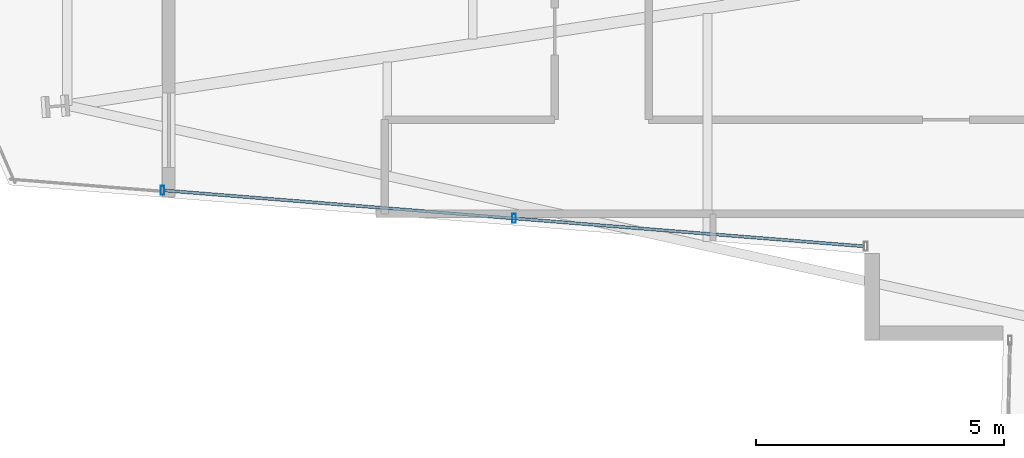
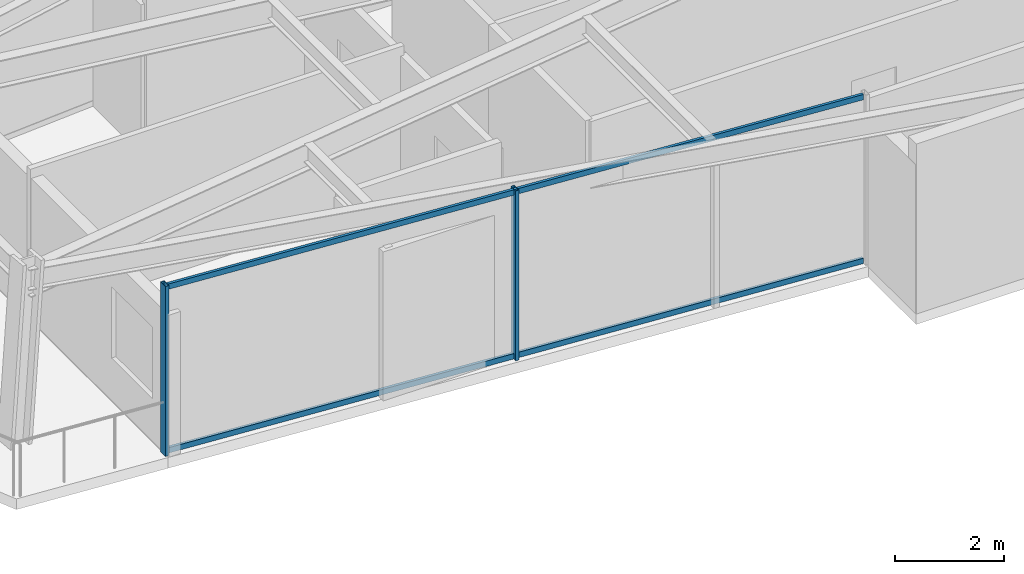
# One storey, part 2 of 26: 4 members, 1 element without a shape of its own.
"""IFC4 building model written with IfcOpenShell, lengths in metres."""

from ifc_helpers import new_model, si_unit, direction, frame, origin, origin_2d, place, context, subcontext, project, spatial, hollow_rectangle, extrude, material, layer, layer_set, material_profile, profile_set, type_object, element, aggregate, save


model = new_model("IFC4")

# Units and contexts
model_context = context("Model", 3, precision=1e-05, world=origin(), true_north=direction((0.0, 1.0)))
body_context = subcontext(model_context, "Body", "Model", "MODEL_VIEW")
ifc_project = project(units=[si_unit("LENGTHUNIT", "METRE"), si_unit("AREAUNIT", "SQUARE_METRE"), si_unit("VOLUMEUNIT", "CUBIC_METRE"), si_unit("PLANEANGLEUNIT", "RADIAN"), si_unit("MASSUNIT", "GRAM", prefix="KILO")], contexts=[model_context])

# Site, building, storey
site_placement = place(None, origin())
site = spatial("IfcSite", under=ifc_project, at=site_placement, CompositionType="ELEMENT")
building_placement = place(site_placement, origin())
building = spatial("IfcBuilding", under=site, at=building_placement, Name="Veymaron Broadcast Tower", CompositionType="ELEMENT")
storey_placement = place(building_placement, frame((0.0, 0.0, 90.449951171875)))
storey = spatial("IfcBuildingStorey", under=building, at=storey_placement, Name="L20", CompositionType="ELEMENT", Elevation=90.449951171875)

# Curtain wall, members
ifc_material_1 = material(Name="Anodised aluminium AA 6063-T6 and laminated low-E dark glass", Category="aluminium")
ifc_layer = layer(ifc_material_1, 0.179931640625)
ifc_layer_set = layer_set([ifc_layer], Name="Anodised aluminium AA 6063-T6 and laminated low-E dark glass")
curtain_wall_type = type_object("IfcCurtainWallType", Name="CW-SYS-02", PredefinedType="NOTDEFINED", material=ifc_layer_set)
curtain_wall_placement = place(storey_placement, origin())
curtain_wall = element("IfcCurtainWall", 1, at=curtain_wall_placement, inside=storey, type_object=curtain_wall_type, Name="L20 dark-glass curtain wall CW-L20-E14-1", PredefinedType="NOTDEFINED")
ifc_material_2 = material(Name="Anodised aluminium AA 6063-T6", Category="aluminium")
ifc_material_profile_1 = material_profile(ifc_material_2, hollow_rectangle(XDim=0.074951171875, YDim=0.179931640625, WallThickness=0.0048828125, at=origin_2d()), Name="AL180X75X5")
ifc_profile_set_1 = profile_set([ifc_material_profile_1], Name="Anodised aluminium AA 6063-T6")
member_type_1 = type_object("IfcMemberType", Name="CW-MUL-02", PredefinedType="MULLION", material=ifc_profile_set_1)
member_1_placement = place(storey_placement, frame((11.587158203125, 19.023681640625, 0.0), z_axis=(0.0, 0.0, 1.0), x_axis=(1.0, 0.0, 0.0)))
member_1 = element("IfcMember", 2, at=member_1_placement, type_object=member_type_1, Name="CW-L20-E14-1 mullion 0", PredefinedType="MULLION", context=body_context, shape_type="SweptSolid", body=[
    extrude(hollow_rectangle(XDim=0.074951171875, YDim=0.179931640625, WallThickness=0.0048828125, at=origin_2d()), origin(), (0.0, 0.0, 1.0), 3.81005859375),
])
member_2_placement = place(storey_placement, frame((18.68310546875, 18.457275390625, 0.0), z_axis=(0.0, 0.0, 1.0), x_axis=(1.0, 0.0, 0.0)))
member_2 = element("IfcMember", 3, at=member_2_placement, type_object=member_type_1, Name="CW-L20-E14-1 mullion 1", PredefinedType="MULLION", context=body_context, shape_type="SweptSolid", body=[
    extrude(hollow_rectangle(XDim=0.074951171875, YDim=0.179931640625, WallThickness=0.0048828125, at=origin_2d()), origin(), (0.0, 0.0, 1.0), 3.81005859375),
])
ifc_material_profile_2 = material_profile(ifc_material_2, hollow_rectangle(XDim=0.06005859375, YDim=0.1201171875, WallThickness=0.00390625, at=origin_2d()), Name="AL120X60X4")
ifc_profile_set_2 = profile_set([ifc_material_profile_2], Name="Anodised aluminium AA 6063-T6")
member_type_2 = type_object("IfcMemberType", Name="CW-TRN-02", PredefinedType="USERDEFINED", material=ifc_profile_set_2)
member_3_placement = place(storey_placement, frame((11.636962890625, 19.01953125, 0.070068359375), z_axis=(0.996830032486, -0.079560582788, 0.0), x_axis=(0.079560582788, 0.996830032486, 0.0)))
member_3 = element("IfcMember", 4, at=member_3_placement, type_object=member_type_2, Name="CW-L20-E14-1 transom B", ObjectType="TRANSOM", PredefinedType="USERDEFINED", context=body_context, shape_type="SweptSolid", body=[
    extrude(hollow_rectangle(XDim=0.06005859375, YDim=0.1201171875, WallThickness=0.00390625, at=origin_2d()), origin(), (0.0, 0.0, 1.0), 14.13720703125),
])
member_4_placement = place(storey_placement, frame((11.636962890625, 19.01953125, 3.739990234375), z_axis=(0.996830032486, -0.079560582788, 0.0), x_axis=(0.079560582788, 0.996830032486, 0.0)))
member_4 = element("IfcMember", 5, at=member_4_placement, type_object=member_type_2, Name="CW-L20-E14-1 transom T", ObjectType="TRANSOM", PredefinedType="USERDEFINED", context=body_context, shape_type="SweptSolid", body=[
    extrude(hollow_rectangle(XDim=0.06005859375, YDim=0.1201171875, WallThickness=0.00390625, at=origin_2d()), origin(), (0.0, 0.0, 1.0), 14.13720703125),
])
aggregate(curtain_wall, [member_1, member_2, member_3, member_4])

save(model, "model.ifc")
